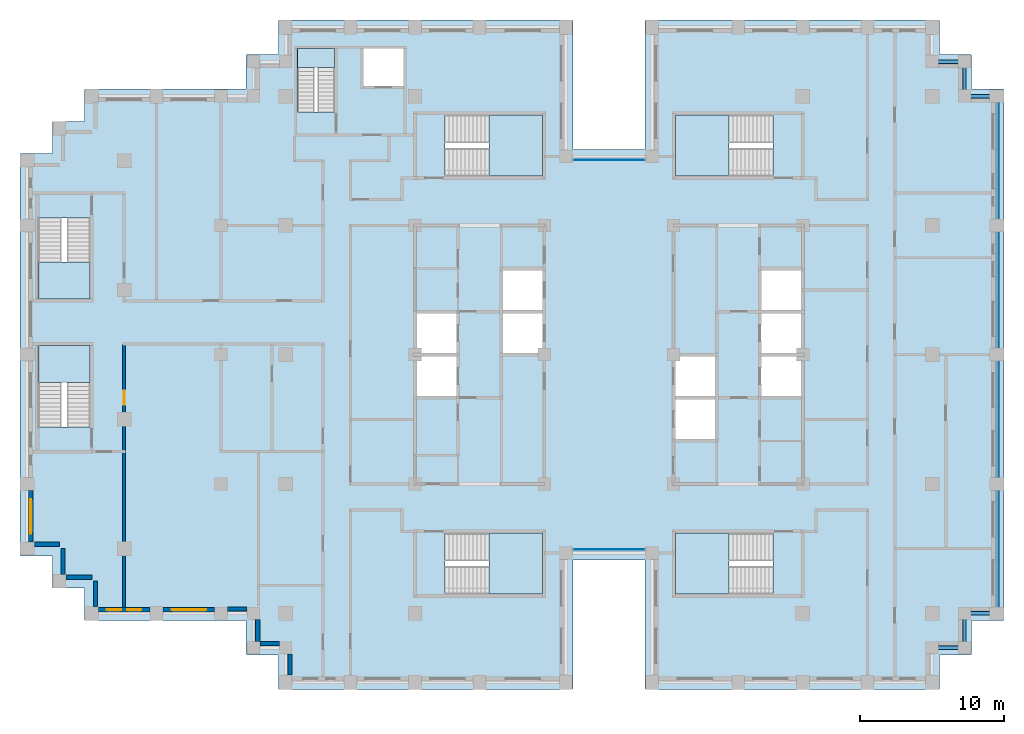
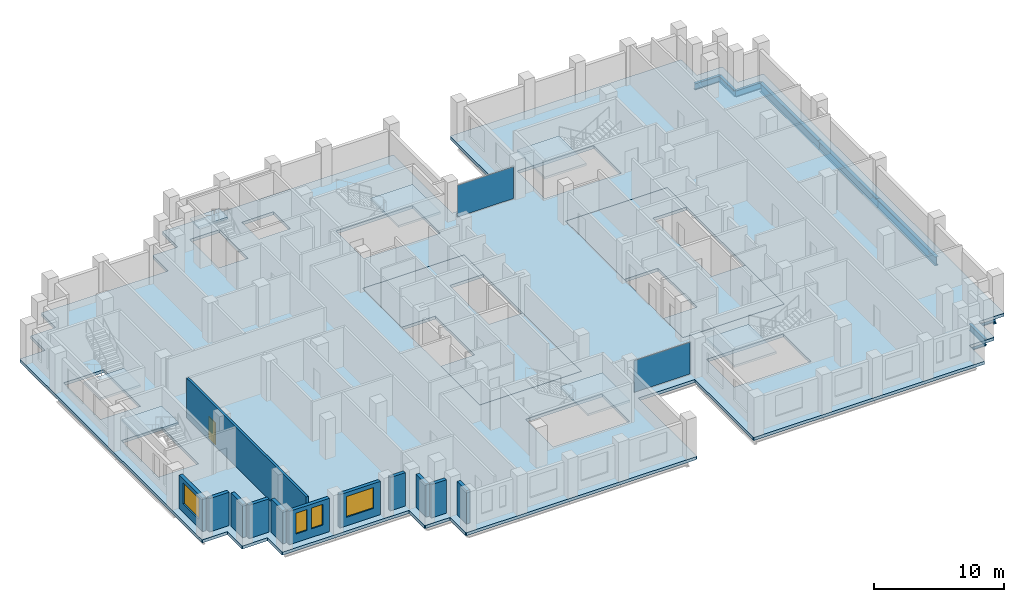
# One storey, part 5 of 15: 12 walls, 10 beams, 10 slabs, 4 windows, 2 plates, 1 door, 5 openings, 9 elements without a shape of their own.
"""IFC4 building model written with IfcOpenShell, lengths in metres."""

from ifc_helpers import new_model, si_unit, direction, frame, frame_2d, origin, origin_2d, place, context, subcontext, project, spatial, polyline, rectangle, i_section, outline, extrude, material, layer, layer_set, material_profile, profile_set, type_object, element, fill, aggregate, save


model = new_model("IFC4")

# Units and contexts
model_context = context("Model", 3, precision=1e-05, world=origin(), true_north=direction((0.0, 1.0)))
body_context = subcontext(model_context, "Body", "Model", "MODEL_VIEW")
ifc_project = project(units=[si_unit("LENGTHUNIT", "METRE"), si_unit("AREAUNIT", "SQUARE_METRE"), si_unit("VOLUMEUNIT", "CUBIC_METRE"), si_unit("PLANEANGLEUNIT", "RADIAN"), si_unit("MASSUNIT", "GRAM", prefix="KILO")], contexts=[model_context])

# Site, building, storey
site_placement = place(None, origin())
site = spatial("IfcSite", under=ifc_project, at=site_placement, CompositionType="ELEMENT")
building_placement = place(site_placement, origin())
building = spatial("IfcBuilding", under=site, at=building_placement, Name="Corbelhall Arena Tower", CompositionType="ELEMENT")
storey_placement = place(building_placement, frame((0.0, 0.0, 188.0)))
storey = spatial("IfcBuildingStorey", under=building, at=storey_placement, Name="L38", CompositionType="ELEMENT", Elevation=188.0)

# Beams
ifc_material_1 = material(Name="Steel ASTM A992 Gr50", Category="steel")
ifc_material_profile_1 = material_profile(ifc_material_1, i_section(OverallWidth=0.228271484375, OverallDepth=0.607177734375, WebThickness=0.01123046875, FlangeThickness=0.017333984375, at=origin_2d()))
ifc_profile_set_1 = profile_set([ifc_material_profile_1], Name="Steel ASTM A992 Gr50")
beam_type_1 = type_object("IfcBeamType", Name="ST-SPANDREL-W24x76", PredefinedType="SPANDREL", material=ifc_profile_set_1)
for number, where, z_axis, x_axis, name in (
    (1, (27.0, -18.0, -0.58349609375), (-1.0, 0.0, 0.0), (0.0, -1.0, 0.0), "Beam SP 12"),
    (2, (22.5, 20.39990234375, -0.58349609375), (1.0, 0.0, 0.0), (0.0, 1.0, 0.0), "Beam SP 39"),
):
    element("IfcBeam", number, at=place(storey_placement, frame(where, z_axis=z_axis, x_axis=x_axis)), inside=storey, type_object=beam_type_1, Name=name, PredefinedType="SPANDREL", context=body_context, shape_type="SweptSolid", body=[
        extrude(i_section(OverallWidth=0.228271484375, OverallDepth=0.607177734375, WebThickness=0.01123046875, FlangeThickness=0.017333984375, at=origin_2d()), origin(), (0.0, 0.0, 1.0), 2.25),
    ])
beam_1_placement = place(storey_placement, frame((24.75, 20.39990234375, -0.58349609375), z_axis=(0.0, -1.0, 0.0), x_axis=(1.0, 0.0, 0.0)))
element("IfcBeam", 3, at=beam_1_placement, inside=storey, type_object=beam_type_1, Name="Beam SP 40", PredefinedType="SPANDREL", context=body_context, shape_type="SweptSolid", body=[
    extrude(i_section(OverallWidth=0.228271484375, OverallDepth=0.607177734375, WebThickness=0.01123046875, FlangeThickness=0.017333984375, at=origin_2d()), origin(), (0.0, 0.0, 1.0), 2.39990234375),
])
for number, where, z_axis, x_axis, name in (
    (4, (24.75, 18.0, -0.58349609375), (1.0, 0.0, 0.0), (0.0, 1.0, 0.0), "Beam SP 41"),
    (5, (24.75, -20.39990234375, -0.58349609375), (-1.0, 0.0, 0.0), (0.0, -1.0, 0.0), "Beam SP 46"),
):
    element("IfcBeam", number, at=place(storey_placement, frame(where, z_axis=z_axis, x_axis=x_axis)), inside=storey, type_object=beam_type_1, Name=name, PredefinedType="SPANDREL", context=body_context, shape_type="SweptSolid", body=[
        extrude(i_section(OverallWidth=0.228271484375, OverallDepth=0.607177734375, WebThickness=0.01123046875, FlangeThickness=0.017333984375, at=origin_2d()), origin(), (0.0, 0.0, 1.0), 2.25),
    ])
beam_2_placement = place(storey_placement, frame((24.75, -18.0, -0.58349609375), z_axis=(0.0, -1.0, 0.0), x_axis=(1.0, 0.0, 0.0)))
element("IfcBeam", 6, at=beam_2_placement, inside=storey, type_object=beam_type_1, Name="Beam SP 47", PredefinedType="SPANDREL", context=body_context, shape_type="SweptSolid", body=[
    extrude(i_section(OverallWidth=0.228271484375, OverallDepth=0.607177734375, WebThickness=0.01123046875, FlangeThickness=0.017333984375, at=origin_2d()), origin(), (0.0, 0.0, 1.0), 2.39990234375),
])
ifc_material_profile_2 = material_profile(ifc_material_1, i_section(OverallWidth=0.2919921875, OverallDepth=0.845703125, WebThickness=0.015380859375, FlangeThickness=0.0244140625, at=origin_2d()))
ifc_profile_set_2 = profile_set([ifc_material_profile_2], Name="Steel ASTM A992 Gr50")
beam_type_2 = type_object("IfcBeamType", Name="ST-SPANDREL-W33x141", PredefinedType="SPANDREL", material=ifc_profile_set_2)
for number, where, z_axis, x_axis, name in (
    (7, (27.0, 0.0, -0.702880859375), (0.0, -1.0, 0.0), (1.0, 0.0, 0.0), "Beam SP 8"),
    (8, (27.0, 9.0, -0.702880859375), (0.0, -1.0, 0.0), (1.0, 0.0, 0.0), "Beam SP 9"),
    (9, (27.0, 18.0, -0.702880859375), (0.0, -1.0, 0.0), (1.0, 0.0, 0.0), "Beam SP 10"),
    (10, (27.0, -9.0, -0.702880859375), (0.0, -1.0, 0.0), (1.0, 0.0, 0.0), "Beam SP 11"),
):
    element("IfcBeam", number, at=place(storey_placement, frame(where, z_axis=z_axis, x_axis=x_axis)), inside=storey, type_object=beam_type_2, Name=name, PredefinedType="SPANDREL", context=body_context, shape_type="SweptSolid", body=[
        extrude(i_section(OverallWidth=0.2919921875, OverallDepth=0.845703125, WebThickness=0.015380859375, FlangeThickness=0.0244140625, at=origin_2d()), origin(), (0.0, 0.0, 1.0), 9.0),
    ])

# Curtain wall, plate
ifc_material_2 = material(Name="Aluminium black anodised", Category="aluminium")
ifc_layer_1 = layer(ifc_material_2, 0.199951171875)
ifc_layer_set_1 = layer_set([ifc_layer_1], Name="EV-CW1 Slot back wall")
curtain_wall_type = type_object("IfcCurtainWallType", Name="EV-CW1 Slot back wall", PredefinedType="NOTDEFINED", material=ifc_layer_set_1)
curtain_wall_1_placement = place(storey_placement, origin())
curtain_wall_1 = element("IfcCurtainWall", 11, at=curtain_wall_1_placement, inside=storey, type_object=curtain_wall_type, Name="Curtain wall CW1", PredefinedType="NOTDEFINED")
ifc_material_3 = material(Name="Glass dark tinted laminated", Category="glass")
ifc_layer_2 = layer(ifc_material_3, 0.028076171875)
ifc_layer_set_2 = layer_set([ifc_layer_2], Name="EV-CW1-PANEL")
plate_type = type_object("IfcPlateType", Name="EV-CW1-PANEL", PredefinedType="CURTAIN_PANEL", material=ifc_layer_set_2)
plate_1_placement = place(storey_placement, frame((0.0, -13.550048828125, 0.0751953125), z_axis=(0.0, 0.0, 1.0), x_axis=(1.0, 0.0, 0.0)))
plate_1 = element("IfcPlate", 12, at=plate_1_placement, type_object=plate_type, Name="CW1 panel 1.1", PredefinedType="CURTAIN_PANEL", context=body_context, shape_type="SweptSolid", body=[
    extrude(rectangle(XDim=4.949951171875, YDim=0.028076171875, at=origin_2d()), origin(), (0.0, 0.0, 1.0), 2.969970703125),
])
aggregate(curtain_wall_1, [plate_1])

curtain_wall_2_placement = place(storey_placement, origin())
curtain_wall_2 = element("IfcCurtainWall", 13, at=curtain_wall_2_placement, inside=storey, type_object=curtain_wall_type, Name="Curtain wall CW1", PredefinedType="NOTDEFINED")
plate_2_placement = place(storey_placement, frame((0.0, 13.550048828125, 0.0751953125), z_axis=(0.0, 0.0, 1.0), x_axis=(-1.0, 0.0, 0.0)))
plate_2 = element("IfcPlate", 14, at=plate_2_placement, type_object=plate_type, Name="CW1 panel 1.1", PredefinedType="CURTAIN_PANEL", context=body_context, shape_type="SweptSolid", body=[
    extrude(rectangle(XDim=4.949951171875, YDim=0.028076171875, at=origin_2d()), origin(), (0.0, 0.0, 1.0), 2.969970703125),
])
aggregate(curtain_wall_2, [plate_2])

# Slabs
ifc_material_4 = material(Name="Concrete C40/50", Category="concrete")
ifc_layer_3 = layer(ifc_material_4, 0.300048828125)
ifc_layer_set_3 = layer_set([ifc_layer_3], Name="IN-SL-CORE")
slab_type_1 = type_object("IfcSlabType", Name="IN-SL-CORE", PredefinedType="FLOOR", material=ifc_layer_set_3)
slab_1_placement = place(storey_placement, frame((0.0, 0.0, -0.280029296875)))
element("IfcSlab", 15, at=slab_1_placement, inside=storey, type_object=slab_type_1, Name="Core floor W", PredefinedType="FLOOR", context=body_context, shape_type="SweptSolid", body=[
    extrude(outline(polyline([(-10.5, -3.0), (-13.5, -3.0), (-13.5, -9.0), (-4.5, -9.0), (-4.5, 0.0), (-7.5, 0.0), (-7.5, 3.0), (-7.5, 6.0), (-4.5, 6.0), (-4.5, 9.0), (-13.5, 9.0), (-13.5, 3.0), (-10.5, 3.0), (-10.5, 0.0), (-10.5, -3.0)])), origin(), (0.0, 0.0, 1.0), 0.280029296875),
])
slab_2_placement = place(storey_placement, frame((0.0, 0.0, -0.280029296875)))
element("IfcSlab", 16, at=slab_2_placement, inside=storey, type_object=slab_type_1, Name="Core floor E", PredefinedType="FLOOR", context=body_context, shape_type="SweptSolid", body=[
    extrude(outline(polyline([(13.5, -3.0), (10.5, -3.0), (10.5, 0.0), (10.5, 3.0), (10.5, 6.0), (13.5, 6.0), (13.5, 9.0), (4.5, 9.0), (4.5, 0.0), (7.5, 0.0), (7.5, -3.0), (7.5, -6.0), (4.5, -6.0), (4.5, -9.0), (13.5, -9.0), (13.5, -3.0)])), origin(), (0.0, 0.0, 1.0), 0.280029296875),
])

# Stair, slab
stair_type = type_object("IfcStairType", Name="IN-ST-TOWER", PredefinedType="HALF_TURN_STAIR", material=ifc_material_4)
stair_1_placement = place(storey_placement, origin())
stair_1 = element("IfcStair", 17, at=stair_1_placement, inside=storey, type_object=stair_type, Name="L38 Exit stair ST1", PredefinedType="HALF_TURN_STAIR")
ifc_layer_4 = layer(ifc_material_4, 0.199951171875)
ifc_layer_set_4 = layer_set([ifc_layer_4], Name="IN-SL-LANDING")
slab_type_2 = type_object("IfcSlabType", Name="IN-SL-LANDING", PredefinedType="LANDING", material=ifc_layer_set_4)
slab_3_placement = place(storey_placement, frame((0.0, 0.0, 1.800048828125)))
slab_3 = element("IfcSlab", 18, at=slab_3_placement, type_object=slab_type_2, Name="ST1 landing 1", PredefinedType="LANDING", context=body_context, shape_type="SweptSolid", body=[
    extrude(outline(polyline([(-8.344970703125, 12.425048828125), (-4.625, 12.425048828125), (-4.625, 16.675048828125), (-8.344970703125, 16.675048828125), (-8.344970703125, 12.425048828125)])), origin(), (0.0, 0.0, 1.0), 0.199951171875),
])
aggregate(stair_1, [slab_3])

stair_2_placement = place(storey_placement, origin())
stair_2 = element("IfcStair", 19, at=stair_2_placement, inside=storey, type_object=stair_type, Name="L38 Exit stair ST2", PredefinedType="HALF_TURN_STAIR")
slab_4_placement = place(storey_placement, frame((0.0, 0.0, 1.800048828125)))
slab_4 = element("IfcSlab", 20, at=slab_4_placement, type_object=slab_type_2, Name="ST2 landing 1", PredefinedType="LANDING", context=body_context, shape_type="SweptSolid", body=[
    extrude(outline(polyline([(-8.344970703125, -16.675048828125), (-4.625, -16.675048828125), (-4.625, -12.425048828125), (-8.344970703125, -12.425048828125), (-8.344970703125, -16.675048828125)])), origin(), (0.0, 0.0, 1.0), 0.199951171875),
])
aggregate(stair_2, [slab_4])

stair_3_placement = place(storey_placement, origin())
stair_3 = element("IfcStair", 21, at=stair_3_placement, inside=storey, type_object=stair_type, Name="L38 Exit stair ST3", PredefinedType="HALF_TURN_STAIR")
slab_5_placement = place(storey_placement, frame((0.0, 0.0, 1.800048828125)))
slab_5 = element("IfcSlab", 22, at=slab_5_placement, type_object=slab_type_2, Name="ST3 landing 1", PredefinedType="LANDING", context=body_context, shape_type="SweptSolid", body=[
    extrude(outline(polyline([(8.344970703125, 16.675048828125), (4.625, 16.675048828125), (4.625, 12.425048828125), (8.344970703125, 12.425048828125), (8.344970703125, 16.675048828125)])), origin(), (0.0, 0.0, 1.0), 0.199951171875),
])
aggregate(stair_3, [slab_5])

stair_4_placement = place(storey_placement, origin())
stair_4 = element("IfcStair", 23, at=stair_4_placement, inside=storey, type_object=stair_type, Name="L38 Exit stair ST4", PredefinedType="HALF_TURN_STAIR")
slab_6_placement = place(storey_placement, frame((0.0, 0.0, 1.800048828125)))
slab_6 = element("IfcSlab", 24, at=slab_6_placement, type_object=slab_type_2, Name="ST4 landing 1", PredefinedType="LANDING", context=body_context, shape_type="SweptSolid", body=[
    extrude(outline(polyline([(8.344970703125, -12.425048828125), (4.625, -12.425048828125), (4.625, -16.675048828125), (8.344970703125, -16.675048828125), (8.344970703125, -12.425048828125)])), origin(), (0.0, 0.0, 1.0), 0.199951171875),
])
aggregate(stair_4, [slab_6])

stair_5_placement = place(storey_placement, origin())
stair_5 = element("IfcStair", 25, at=stair_5_placement, inside=storey, type_object=stair_type, Name="L38 Exit stair SC1", PredefinedType="HALF_TURN_STAIR")
slab_7_placement = place(storey_placement, frame((0.0, 0.0, 1.800048828125)))
slab_7 = element("IfcSlab", 26, at=slab_7_placement, type_object=slab_type_2, Name="SC1 landing 1", PredefinedType="LANDING", context=body_context, shape_type="SweptSolid", body=[
    extrude(outline(polyline([(-39.699951171875, 6.445068359375), (-39.699951171875, 3.875), (-36.125, 3.875), (-36.125, 6.445068359375), (-39.699951171875, 6.445068359375)])), origin(), (0.0, 0.0, 1.0), 0.199951171875),
])
aggregate(stair_5, [slab_7])

stair_6_placement = place(storey_placement, origin())
stair_6 = element("IfcStair", 27, at=stair_6_placement, inside=storey, type_object=stair_type, Name="L38 Exit stair SC2", PredefinedType="HALF_TURN_STAIR")
slab_8_placement = place(storey_placement, frame((0.0, 0.0, 1.800048828125)))
slab_8 = element("IfcSlab", 28, at=slab_8_placement, type_object=slab_type_2, Name="SC2 landing 1", PredefinedType="LANDING", context=body_context, shape_type="SweptSolid", body=[
    extrude(outline(polyline([(-36.125, -1.945068359375), (-36.125, 0.625), (-39.699951171875, 0.625), (-39.699951171875, -1.945068359375), (-36.125, -1.945068359375)])), origin(), (0.0, 0.0, 1.0), 0.199951171875),
])
aggregate(stair_6, [slab_8])

stair_7_placement = place(storey_placement, origin())
stair_7 = element("IfcStair", 29, at=stair_7_placement, inside=storey, type_object=stair_type, Name="L38 Exit stair ST5", PredefinedType="HALF_TURN_STAIR")
slab_9_placement = place(storey_placement, frame((0.0, 0.0, 1.800048828125)))
slab_9 = element("IfcSlab", 30, at=slab_9_placement, type_object=slab_type_2, Name="ST5 landing 1", PredefinedType="LANDING", context=body_context, shape_type="SweptSolid", body=[
    extrude(outline(polyline([(-19.094970703125, 19.97998046875), (-19.094970703125, 21.300048828125), (-21.695068359375, 21.300048828125), (-21.695068359375, 19.97998046875), (-19.094970703125, 19.97998046875)])), origin(), (0.0, 0.0, 1.0), 0.199951171875),
])
aggregate(stair_7, [slab_9])

# Slab
ifc_layer_5 = layer(ifc_material_4, 0.280029296875)
ifc_layer_set_5 = layer_set([ifc_layer_5], Name="ST-SLAB-FLOOR-280")
slab_type_3 = type_object("IfcSlabType", Name="ST-SLAB-FLOOR-280", PredefinedType="FLOOR", material=ifc_layer_set_5)
slab_10_placement = place(storey_placement, frame((0.0, 0.0, -0.280029296875)))
element("IfcSlab", 31, at=slab_10_placement, inside=storey, type_object=slab_type_3, Name="Floor slab L38 1", PredefinedType="FLOOR", context=body_context, shape_type="SweptSolid", body=[
    extrude(outline(polyline([(23.0, 23.25), (22.949951171875, 23.300048828125), (2.550048828125, 23.300048828125), (2.5, 23.25), (2.5, 14.300048828125), (-2.5, 14.300048828125), (-2.5, 23.25), (-2.550048828125, 23.300048828125), (-22.949951171875, 23.300048828125), (-23.0, 23.25), (-23.0, 20.89990234375), (-25.199951171875, 20.89990234375), (-25.25, 20.85009765625), (-25.25, 18.5), (-36.449951171875, 18.5), (-36.5, 18.449951171875), (-36.5, 16.25), (-38.699951171875, 16.25), (-38.75, 16.199951171875), (-38.75, 14.0), (-40.949951171875, 14.0), (-41.0, 13.949951171875), (-41.0, -13.949951171875), (-40.949951171875, -14.0), (-38.75, -14.0), (-38.75, -16.199951171875), (-38.699951171875, -16.25), (-36.5, -16.25), (-36.5, -18.449951171875), (-36.449951171875, -18.5), (-25.25, -18.5), (-25.25, -20.85009765625), (-25.199951171875, -20.89990234375), (-23.0, -20.89990234375), (-23.0, -23.25), (-22.949951171875, -23.300048828125), (-2.550048828125, -23.300048828125), (-2.5, -23.25), (-2.5, -14.300048828125), (2.5, -14.300048828125), (2.5, -23.25), (2.550048828125, -23.300048828125), (22.949951171875, -23.300048828125), (23.0, -23.25), (23.0, -20.89990234375), (25.199951171875, -20.89990234375), (25.25, -20.85009765625), (25.25, -18.5), (27.449951171875, -18.5), (27.5, -18.449951171875), (27.5, 18.449951171875), (27.449951171875, 18.5), (25.25, 18.5), (25.25, 20.85009765625), (25.199951171875, 20.89990234375), (23.0, 20.89990234375), (23.0, 23.25)]), holes=[polyline([(-4.5, -9.0), (-4.5, 9.0), (-13.5, 9.0), (-13.5, -9.0), (-4.5, -9.0)]), polyline([(13.5, -9.0), (13.5, 9.0), (4.5, 9.0), (4.5, -9.0), (13.5, -9.0)]), polyline([(-11.422119140625, 12.425048828125), (-4.625, 12.425048828125), (-4.625, 16.675048828125), (-11.422119140625, 16.675048828125), (-11.422119140625, 12.425048828125)]), polyline([(-11.422119140625, -12.425048828125), (-11.422119140625, -16.675048828125), (-4.625, -16.675048828125), (-4.625, -12.425048828125), (-11.422119140625, -12.425048828125)]), polyline([(4.625, 12.425048828125), (11.422119140625, 12.425048828125), (11.422119140625, 16.675048828125), (4.625, 16.675048828125), (4.625, 12.425048828125)]), polyline([(4.625, -12.425048828125), (4.625, -16.675048828125), (11.422119140625, -16.675048828125), (11.422119140625, -12.425048828125), (4.625, -12.425048828125)]), polyline([(-39.699951171875, 9.52197265625), (-39.699951171875, 3.875), (-36.125, 3.875), (-36.125, 9.52197265625), (-39.699951171875, 9.52197265625)]), polyline([(-39.699951171875, -5.02197265625), (-36.125, -5.02197265625), (-36.125, 0.625), (-39.699951171875, 0.625), (-39.699951171875, -5.02197265625)]), polyline([(-21.695068359375, 21.300048828125), (-21.695068359375, 16.903076171875), (-19.094970703125, 16.903076171875), (-19.094970703125, 21.300048828125), (-21.695068359375, 21.300048828125)]), polyline([(-14.300048828125, 21.300048828125), (-17.10009765625, 21.300048828125), (-17.10009765625, 18.699951171875), (-14.300048828125, 18.699951171875), (-14.300048828125, 21.300048828125)])]), origin(), (0.0, 0.0, 1.0), 0.280029296875),
])

# Walls
ifc_material_5 = material(Name="Precast concrete C40/50 with granite facing", Category="masonry")
ifc_layer_6 = layer(ifc_material_5, 0.300048828125)
ifc_layer_set_6 = layer_set([ifc_layer_6], Name="EV-IW1 Infill panel 300")
wall_type_1 = type_object("IfcWallType", Name="EV-IW1 Infill panel 300", PredefinedType="SOLIDWALL", material=ifc_layer_set_6)
wall_1_placement = place(storey_placement, frame((-40.0, -13.199951171875, 0.0), z_axis=(0.0, 0.0, 1.0), x_axis=(1.0, 0.0, 0.0)))
element("IfcWall", 32, at=wall_1_placement, inside=storey, type_object=wall_type_1, Name="Infill panel IW1", PredefinedType="SOLIDWALL", context=body_context, shape_type="SweptSolid", body=[
    extrude(rectangle(XDim=1.75, YDim=0.300048828125, at=frame_2d((0.875, 0.0))), origin(), (0.0, 0.0, 1.0), 3.1201171875),
])
for number, where, z_axis, x_axis, name in (
    (33, (-38.0, -15.300048828125, 0.0), (0.0, 0.0, 1.0), (0.0, 1.0, 0.0), "Infill panel IW1"),
    (34, (-37.800048828125, -15.5, 0.0), (0.0, 0.0, 1.0), (1.0, 0.0, 0.0), "Infill panel IW1"),
    (35, (-35.75, -17.550048828125, 0.0), (0.0, 0.0, 1.0), (0.0, 1.0, 0.0), "Infill panel IW1"),
):
    element("IfcWall", number, at=place(storey_placement, frame(where, z_axis=z_axis, x_axis=x_axis)), inside=storey, type_object=wall_type_1, Name=name, PredefinedType="SOLIDWALL", context=body_context, shape_type="SweptSolid", body=[
        extrude(rectangle(XDim=1.800048828125, YDim=0.300048828125, at=frame_2d((0.89990234375, 0.0))), origin(), (0.0, 0.0, 1.0), 3.1201171875),
    ])

# Wall, opening, window
wall_2_placement = place(storey_placement, frame((-40.25, -9.449951171875, 0.0), z_axis=(0.0, 0.0, 1.0), x_axis=(0.0, -1.0, 0.0)))
wall_2 = element("IfcWall", 36, at=wall_2_placement, inside=storey, type_object=wall_type_1, Name="Infill panel IW1", PredefinedType="SOLIDWALL", context=body_context, shape_type="SweptSolid", body=[
    extrude(rectangle(XDim=3.60009765625, YDim=0.300048828125, at=frame_2d((1.800048828125, 0.0))), origin(), (0.0, 0.0, 1.0), 3.1201171875),
])
opening_1_placement = place(wall_2_placement, frame((0.60009765625, 0.0, 0.800048828125)))
opening_1 = element("IfcOpeningElement", 37, at=opening_1_placement, cuts=wall_2, Name="Opening WN1", PredefinedType="OPENING", context=body_context, shape_type="SweptSolid", body=[
    extrude(rectangle(XDim=2.39990234375, YDim=1.949951171875, at=frame_2d((1.199951171875, 0.97509765625))), frame((0.0, 0.14990234375, 0.0), z_axis=(0.0, -1.0, 0.0), x_axis=(1.0, 0.0, 0.0)), (0.0, 0.0, 1.0), 0.300048828125),
])
window_type_1 = type_object("IfcWindowType", Name="EV-WN1 Office window", PartitioningType="SINGLE_PANEL", PredefinedType="WINDOW", material=ifc_material_2)
window_1_placement = place(opening_1_placement, origin())
window_1 = element("IfcWindow", 38, at=window_1_placement, inside=storey, type_object=window_type_1, Name="Window WN1", OverallHeight=1.949951171875, OverallWidth=2.39990234375, PartitioningType="SINGLE_PANEL", PredefinedType="WINDOW", context=body_context, shape_type="SweptSolid", body=[
    extrude(rectangle(XDim=2.39990234375, YDim=1.949951171875, at=frame_2d((1.199951171875, 0.97509765625))), frame((0.0, 0.030029296875, 0.0), z_axis=(0.0, -1.0, 0.0), x_axis=(1.0, 0.0, 0.0)), (0.0, 0.0, 1.0), 0.06005859375),
])
fill(opening_1, window_1)

# Wall, openings, windows
wall_3_placement = place(storey_placement, frame((-35.550048828125, -17.75, 0.0), z_axis=(0.0, 0.0, 1.0), x_axis=(1.0, 0.0, 0.0)))
wall_3 = element("IfcWall", 39, at=wall_3_placement, inside=storey, type_object=wall_type_1, Name="Infill panel IW1", PredefinedType="SOLIDWALL", context=body_context, shape_type="SweptSolid", body=[
    extrude(rectangle(XDim=3.60009765625, YDim=0.300048828125, at=frame_2d((1.800048828125, 0.0))), origin(), (0.0, 0.0, 1.0), 3.1201171875),
])
opening_2_placement = place(wall_3_placement, frame((0.60009765625, 0.0, 0.800048828125)))
opening_2 = element("IfcOpeningElement", 40, at=opening_2_placement, cuts=wall_3, Name="Opening WN6", PredefinedType="OPENING", context=body_context, shape_type="SweptSolid", body=[
    extrude(rectangle(XDim=1.0, YDim=1.949951171875, at=frame_2d((0.5, 0.97509765625))), frame((0.0, 0.14990234375, 0.0), z_axis=(0.0, -1.0, 0.0), x_axis=(1.0, 0.0, 0.0)), (0.0, 0.0, 1.0), 0.300048828125),
])
opening_3_placement = place(wall_3_placement, frame((2.0, 0.0, 0.800048828125)))
opening_3 = element("IfcOpeningElement", 41, at=opening_3_placement, cuts=wall_3, Name="Opening WN6", PredefinedType="OPENING", context=body_context, shape_type="SweptSolid", body=[
    extrude(rectangle(XDim=1.0, YDim=1.949951171875, at=frame_2d((0.5, 0.97509765625))), frame((0.0, 0.14990234375, 0.0), z_axis=(0.0, -1.0, 0.0), x_axis=(1.0, 0.0, 0.0)), (0.0, 0.0, 1.0), 0.300048828125),
])
window_type_2 = type_object("IfcWindowType", Name="EV-WN6 Office window 1000", PartitioningType="SINGLE_PANEL", PredefinedType="WINDOW", material=ifc_material_2)
window_2_placement = place(opening_2_placement, origin())
window_2 = element("IfcWindow", 42, at=window_2_placement, inside=storey, type_object=window_type_2, Name="Window WN6", OverallHeight=1.949951171875, OverallWidth=1.0, PartitioningType="SINGLE_PANEL", PredefinedType="WINDOW", context=body_context, shape_type="SweptSolid", body=[
    extrude(rectangle(XDim=1.0, YDim=1.949951171875, at=frame_2d((0.5, 0.97509765625))), frame((0.0, 0.030029296875, 0.0), z_axis=(0.0, -1.0, 0.0), x_axis=(1.0, 0.0, 0.0)), (0.0, 0.0, 1.0), 0.06005859375),
])
fill(opening_2, window_2)
window_3_placement = place(opening_3_placement, origin())
window_3 = element("IfcWindow", 43, at=window_3_placement, inside=storey, type_object=window_type_2, Name="Window WN6", OverallHeight=1.949951171875, OverallWidth=1.0, PartitioningType="SINGLE_PANEL", PredefinedType="WINDOW", context=body_context, shape_type="SweptSolid", body=[
    extrude(rectangle(XDim=1.0, YDim=1.949951171875, at=frame_2d((0.5, 0.97509765625))), frame((0.0, 0.030029296875, 0.0), z_axis=(0.0, -1.0, 0.0), x_axis=(1.0, 0.0, 0.0)), (0.0, 0.0, 1.0), 0.06005859375),
])
fill(opening_3, window_3)

# Wall, opening, window
wall_4_placement = place(storey_placement, frame((-31.050048828125, -17.75, 0.0), z_axis=(0.0, 0.0, 1.0), x_axis=(1.0, 0.0, 0.0)))
wall_4 = element("IfcWall", 44, at=wall_4_placement, inside=storey, type_object=wall_type_1, Name="Infill panel IW1", PredefinedType="SOLIDWALL", context=body_context, shape_type="SweptSolid", body=[
    extrude(rectangle(XDim=3.60009765625, YDim=0.300048828125, at=frame_2d((1.800048828125, 0.0))), origin(), (0.0, 0.0, 1.0), 3.1201171875),
])
opening_4_placement = place(wall_4_placement, frame((0.60009765625, 0.0, 0.800048828125)))
opening_4 = element("IfcOpeningElement", 45, at=opening_4_placement, cuts=wall_4, Name="Opening WN1", PredefinedType="OPENING", context=body_context, shape_type="SweptSolid", body=[
    extrude(rectangle(XDim=2.39990234375, YDim=1.949951171875, at=frame_2d((1.199951171875, 0.97509765625))), frame((0.0, 0.14990234375, 0.0), z_axis=(0.0, -1.0, 0.0), x_axis=(1.0, 0.0, 0.0)), (0.0, 0.0, 1.0), 0.300048828125),
])
window_4_placement = place(opening_4_placement, origin())
window_4 = element("IfcWindow", 46, at=window_4_placement, inside=storey, type_object=window_type_1, Name="Window WN1", OverallHeight=1.949951171875, OverallWidth=2.39990234375, PartitioningType="SINGLE_PANEL", PredefinedType="WINDOW", context=body_context, shape_type="SweptSolid", body=[
    extrude(rectangle(XDim=2.39990234375, YDim=1.949951171875, at=frame_2d((1.199951171875, 0.97509765625))), frame((0.0, 0.030029296875, 0.0), z_axis=(0.0, -1.0, 0.0), x_axis=(1.0, 0.0, 0.0)), (0.0, 0.0, 1.0), 0.06005859375),
])
fill(opening_4, window_4)

# Walls
wall_5_placement = place(storey_placement, frame((-26.550048828125, -17.699951171875, 0.0), z_axis=(0.0, 0.0, 1.0), x_axis=(1.0, 0.0, 0.0)))
element("IfcWall", 47, at=wall_5_placement, inside=storey, type_object=wall_type_1, Name="Infill panel IW1", PredefinedType="SOLIDWALL", context=body_context, shape_type="SweptSolid", body=[
    extrude(rectangle(XDim=1.35009765625, YDim=0.300048828125, at=frame_2d((0.675048828125, 0.0))), origin(), (0.0, 0.0, 1.0), 3.1201171875),
])
wall_6_placement = place(storey_placement, frame((-24.449951171875, -18.449951171875, 0.0), z_axis=(0.0, 0.0, 1.0), x_axis=(0.0, -1.0, 0.0)))
element("IfcWall", 48, at=wall_6_placement, inside=storey, type_object=wall_type_1, Name="Infill panel IW1", PredefinedType="SOLIDWALL", context=body_context, shape_type="SweptSolid", body=[
    extrude(rectangle(XDim=1.5, YDim=0.300048828125, at=frame_2d((0.75, 0.0))), origin(), (0.0, 0.0, 1.0), 3.1201171875),
])
wall_7_placement = place(storey_placement, frame((-24.300048828125, -20.10009765625, 0.0), z_axis=(0.0, 0.0, 1.0), x_axis=(1.0, 0.0, 0.0)))
element("IfcWall", 49, at=wall_7_placement, inside=storey, type_object=wall_type_1, Name="Infill panel IW1", PredefinedType="SOLIDWALL", context=body_context, shape_type="SweptSolid", body=[
    extrude(rectangle(XDim=1.35009765625, YDim=0.300048828125, at=frame_2d((0.675048828125, 0.0))), origin(), (0.0, 0.0, 1.0), 3.1201171875),
])
wall_8_placement = place(storey_placement, frame((-22.199951171875, -20.85009765625, 0.0), z_axis=(0.0, 0.0, 1.0), x_axis=(0.0, -1.0, 0.0)))
element("IfcWall", 50, at=wall_8_placement, inside=storey, type_object=wall_type_1, Name="Infill panel IW1", PredefinedType="SOLIDWALL", context=body_context, shape_type="SweptSolid", body=[
    extrude(rectangle(XDim=1.449951171875, YDim=0.300048828125, at=frame_2d((0.72509765625, 0.0))), origin(), (0.0, 0.0, 1.0), 3.1201171875),
])

# Wall, opening, door
ifc_material_6 = material(Name="Gypsum board on steel stud, acoustic", Category="steel")
ifc_layer_7 = layer(ifc_material_6, 0.199951171875)
ifc_layer_set_7 = layer_set([ifc_layer_7], Name="IN-W-DM200")
wall_type_2 = type_object("IfcWallType", Name="IN-W-DM200", PredefinedType="PARTITIONING", material=ifc_layer_set_7)
wall_9_placement = place(storey_placement, frame((-33.75, 0.75, 0.0), z_axis=(0.0, 0.0, 1.0), x_axis=(0.0, -1.0, 0.0)))
wall_9 = element("IfcWall", 51, at=wall_9_placement, inside=storey, type_object=wall_type_2, Name="Partition 003", PredefinedType="PARTITIONING", context=body_context, shape_type="SweptSolid", body=[
    extrude(rectangle(XDim=18.35009765625, YDim=0.199951171875, at=frame_2d((9.175048828125, 0.0))), origin(), (0.0, 0.0, 1.0), 3.719970703125),
])
opening_5_placement = place(wall_9_placement, frame((3.25, 0.0, 0.0)))
opening_5 = element("IfcOpeningElement", 52, at=opening_5_placement, cuts=wall_9, Name="Opening 11046", PredefinedType="OPENING", context=body_context, shape_type="SweptSolid", body=[
    extrude(rectangle(XDim=1.0, YDim=2.10009765625, at=frame_2d((0.5, 1.050048828125))), frame((0.0, 0.10009765625, 0.0), z_axis=(0.0, -1.0, 0.0), x_axis=(1.0, 0.0, 0.0)), (0.0, 0.0, 1.0), 0.199951171875),
])
ifc_material_7 = material(Name="Steel door set", Category="steel")
door_type = type_object("IfcDoorType", Name="IN-D-SW100", OperationType="NOTDEFINED", PredefinedType="DOOR", material=ifc_material_7)
door_placement = place(opening_5_placement, origin())
door = element("IfcDoor", 53, at=door_placement, inside=storey, type_object=door_type, Name="Door 046", OperationType="SINGLE_SWING_LEFT", OverallHeight=2.10009765625, OverallWidth=1.0, PredefinedType="DOOR", context=body_context, shape_type="SweptSolid", body=[
    extrude(rectangle(XDim=1.0, YDim=2.10009765625, at=frame_2d((0.5, 1.050048828125))), frame((0.0, 0.02490234375, 0.0), z_axis=(0.0, -1.0, 0.0), x_axis=(1.0, 0.0, 0.0)), (0.0, 0.0, 1.0), 0.050048828125),
])
fill(opening_5, door)

save(model, "model.ifc")
